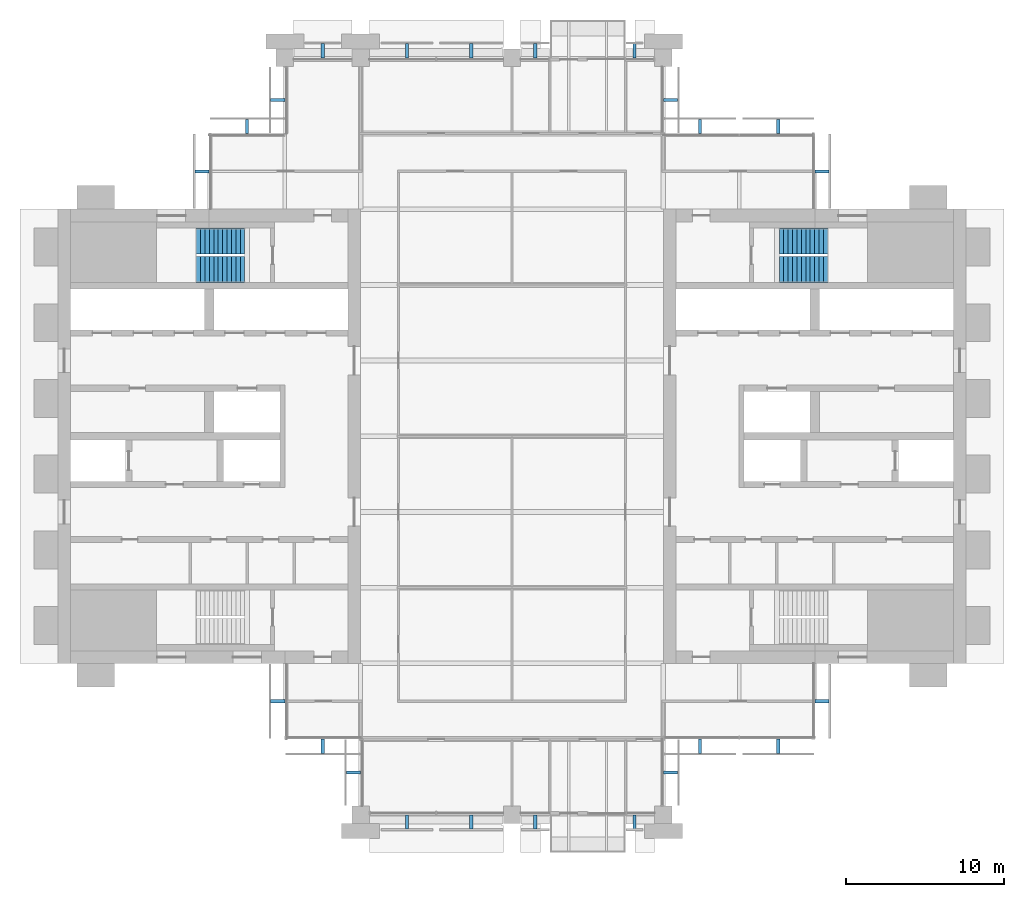
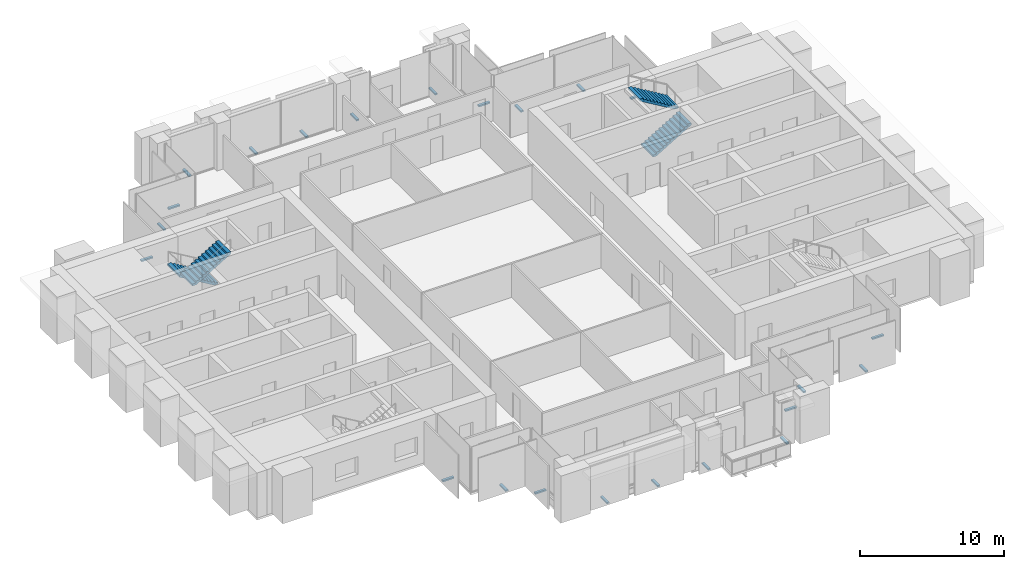
# One storey, part 12 of 14: 23 discrete accessories, 4 stair flights, 2 elements without a shape of their own.
"""IFC4 building model written with IfcOpenShell, lengths in metres."""

import ifcopenshell
import ifcopenshell.guid

model = None  # the IFC model being written
_history = None  # IfcOwnerHistory: only IFC2X3 demands one
_inside = {}  # id of a spatial element -> (the spatial element, [elements in it])
_under = {}  # id of a project, library or spatial element -> (it, [spatial elements below it])
_declared = {}  # id of a project -> (the project, [libraries it declares])
_typed = {}  # id of a type object -> (the type object, [elements of that type])
_made_of = {}  # id of a material, layer set ... -> (it, [elements and type objects made of it])


def new_model(schema):
    """Start an empty IFC model of exactly this schema.

    Asked for "IFC4X3", IfcOpenShell would pick the latest addendum, in which some entities
    have other attributes; the version numbers below select the first issue.
    IFC2X3 requires an IfcOwnerHistory on every rooted entity: one is made here for all.
    """
    global model, _history
    if schema == "IFC4X3":
        model = ifcopenshell.file(schema_version=(4, 3, 0, 0))
    else:
        model = ifcopenshell.file(schema=schema)
    _inside.clear()
    _under.clear()
    _declared.clear()
    _typed.clear()
    _made_of.clear()
    _history = None
    if model.schema == "IFC2X3":
        org = make("IfcOrganization", Name="unknown")
        user = make(
            "IfcPersonAndOrganization",
            ThePerson=make("IfcPerson", FamilyName="unknown"),
            TheOrganization=org,
        )
        app = make(
            "IfcApplication",
            ApplicationDeveloper=org,
            Version="unknown",
            ApplicationFullName="unknown",
            ApplicationIdentifier="unknown",
        )
        _history = make(
            "IfcOwnerHistory",
            OwningUser=user,
            OwningApplication=app,
            ChangeAction="ADDED",
            CreationDate=0,
        )
    return model


def make(cls, **values):
    """One entity of the class cls with the attributes given. An attribute that is None is left unset."""
    return model.create_entity(
        cls, **{name: value for name, value in values.items() if value is not None}
    )


def rooted(cls, **values):
    """An entity with a GlobalId (a new one), such as an element, a storey or a relation."""
    return make(cls, GlobalId=ifcopenshell.guid.new(), OwnerHistory=_history, **values)


def si_unit(unit_type, name, prefix=None):
    """IfcSIUnit, for example si_unit("LENGTHUNIT", "METRE", prefix="MILLI")."""
    return make("IfcSIUnit", UnitType=unit_type, Prefix=prefix, Name=name)


def assignment(units):
    """IfcUnitAssignment: the units of a project."""
    return None if units is None else make("IfcUnitAssignment", Units=units)


def point(xyz):
    """IfcCartesianPoint."""
    return None if xyz is None else make("IfcCartesianPoint", Coordinates=xyz)


def direction(xyz):
    """IfcDirection."""
    return None if xyz is None else make("IfcDirection", DirectionRatios=xyz)


def frame(location, z_axis=None, x_axis=None):
    """IfcAxis2Placement3D, a coordinate frame: its origin and axes. An axis left out is left unset."""
    return make(
        "IfcAxis2Placement3D",
        Location=point(location),
        Axis=direction(z_axis),
        RefDirection=direction(x_axis),
    )


def frame_2d(location, x_axis=None):
    """IfcAxis2Placement2D, a coordinate frame in the plane: its origin and x axis."""
    return make(
        "IfcAxis2Placement2D", Location=point(location), RefDirection=direction(x_axis)
    )


def origin():
    """The frame at (0, 0, 0) with its axes left unset."""
    return frame((0.0, 0.0, 0.0))


def origin_2d():
    """The frame at (0, 0) in the plane with its x axis left unset."""
    return frame_2d((0.0, 0.0))


def place(relative_to, where):
    """IfcLocalPlacement: puts the frame where relative to a parent placement (None: the world)."""
    return make(
        "IfcLocalPlacement", PlacementRelTo=relative_to, RelativePlacement=where
    )


def context(
    kind, dimensions, precision=None, world=None, true_north=None, identifier=None
):
    """IfcGeometricRepresentationContext, for example the 3D "Model" context."""
    return make(
        "IfcGeometricRepresentationContext",
        ContextIdentifier=identifier,
        ContextType=kind,
        CoordinateSpaceDimension=dimensions,
        Precision=precision,
        WorldCoordinateSystem=world,
        TrueNorth=true_north,
    )


def subcontext(parent, identifier, kind, view, scale=None):
    """IfcGeometricRepresentationSubContext, for example "Body" below "Model"."""
    return make(
        "IfcGeometricRepresentationSubContext",
        ContextIdentifier=identifier,
        ContextType=kind,
        ParentContext=parent,
        TargetScale=scale,
        TargetView=view,
    )


def project(units=None, contexts=None):
    """IfcProject with its units and contexts."""
    return rooted(
        "IfcProject",
        Name="project",
        RepresentationContexts=contexts,
        UnitsInContext=assignment(units),
    )


def spatial(cls, under=None, at=None, **own):
    """A site, building, storey or space (cls), placed at a placement, below another one or the project."""
    s = rooted(cls, ObjectPlacement=at, **own)
    if under is not None:
        _under.setdefault(under.id(), (under, []))[1].append(s)
    return s


def polyline(points):
    """IfcPolyline through the points."""
    return make("IfcPolyline", Points=[point(p) for p in points])


def profile(cls, at=None, kind="AREA", **sizes):
    """A parametric profile (cls). Its sizes go by their IFC names, for example OverallWidth=200.0."""
    return make(cls, ProfileType=kind, Position=at, **sizes)


def rectangle(**sizes):
    """IfcRectangleProfileDef."""
    return profile("IfcRectangleProfileDef", **sizes)


def outline(outer, holes=None, kind="AREA"):
    """IfcArbitraryClosedProfileDef: a profile drawn as a closed curve; with holes, ...WithVoids."""
    if holes is None:
        return make("IfcArbitraryClosedProfileDef", ProfileType=kind, OuterCurve=outer)
    return make(
        "IfcArbitraryProfileDefWithVoids",
        ProfileType=kind,
        OuterCurve=outer,
        InnerCurves=holes,
    )


def extrude(swept, where, along, depth):
    """IfcExtrudedAreaSolid: the profile swept, set in the frame where, extruded along a direction by depth."""
    return make(
        "IfcExtrudedAreaSolid",
        SweptArea=swept,
        Position=where,
        ExtrudedDirection=direction(along),
        Depth=depth,
    )


def shape(context_of_items, identifier, shape_type, items):
    """IfcShapeRepresentation: the items that make up one representation, for example the "Body"."""
    return make(
        "IfcShapeRepresentation",
        ContextOfItems=context_of_items,
        RepresentationIdentifier=identifier,
        RepresentationType=shape_type,
        Items=items,
    )


def material(Name=None, Category=None):
    """IfcMaterial."""
    return make("IfcMaterial", Name=Name, Category=Category)


def made_of(thing, what):
    """Note that an element or type object is made of a material, layer set ...; save() writes the relation."""
    if what is not None:
        _made_of.setdefault(what.id(), (what, []))[1].append(thing)
    return thing


def type_object(cls, material=None, **own):
    """A type object (cls), such as IfcWallType, which elements share."""
    return made_of(rooted(cls, **own), material)


def element(
    cls,
    number,
    at=None,
    inside=None,
    cuts=None,
    type_object=None,
    material=None,
    context=None,
    identifier="Body",
    shape_type=None,
    held_by="IfcProductDefinitionShape",
    body=None,
    shapes=None,
    **own,
):
    """One element of the class cls, such as IfcWall. Its Tag is "e" and its number.

    at: its placement. inside: the storey or other place that contains it. cuts: it is an
    opening in that element (IfcRelVoidsElement). A single representation is given by context,
    identifier, shape_type and body (its items); several are given by shapes. held_by: the class
    of the entity that holds the representations. save() writes the other relations.
    """
    e = rooted(cls, Tag="e%d" % number, ObjectPlacement=at, **own)
    if body is not None:
        shapes = [shape(context, identifier, shape_type, body)]
    if shapes is not None:
        e.Representation = make(held_by, Representations=shapes)
    if inside is not None:
        _inside.setdefault(inside.id(), (inside, []))[1].append(e)
    if cuts is not None:
        rooted(
            "IfcRelVoidsElement", RelatingBuildingElement=cuts, RelatedOpeningElement=e
        )
    if type_object is not None:
        _typed.setdefault(type_object.id(), (type_object, []))[1].append(e)
    return made_of(e, material)


def aggregate(whole, parts):
    """IfcRelAggregates: a whole, such as a stair, and the parts it consists of."""
    return rooted("IfcRelAggregates", RelatingObject=whole, RelatedObjects=parts)


def save(model, path):
    """Write the relations noted so far, then the file.

    IfcRelAggregates (storeys below a building ...), IfcRelContainedInSpatialStructure (elements
    in a storey), IfcRelDefinesByType, IfcRelAssociatesMaterial and IfcRelDeclares: one each for
    every whole, place, type object, material and project.
    """
    for whole, parts in _under.values():
        aggregate(whole, parts)
    for where, things in _inside.values():
        rooted(
            "IfcRelContainedInSpatialStructure",
            RelatedElements=things,
            RelatingStructure=where,
        )
    for kind, things in _typed.values():
        rooted("IfcRelDefinesByType", RelatedObjects=things, RelatingType=kind)
    for what, things in _made_of.values():
        rooted("IfcRelAssociatesMaterial", RelatedObjects=things, RelatingMaterial=what)
    for by, libraries in _declared.values():
        rooted("IfcRelDeclares", RelatingContext=by, RelatedDefinitions=libraries)
    model.write(path)


model = new_model("IFC4")

# Units and contexts
model_context = context("Model", 3, precision=1e-05, world=origin(), true_north=direction((0.0, 1.0)))
body_context = subcontext(model_context, "Body", "Model", "MODEL_VIEW")
ifc_project = project(units=[si_unit("LENGTHUNIT", "METRE"), si_unit("AREAUNIT", "SQUARE_METRE"), si_unit("VOLUMEUNIT", "CUBIC_METRE"), si_unit("PLANEANGLEUNIT", "RADIAN"), si_unit("MASSUNIT", "GRAM", prefix="KILO")], contexts=[model_context])

# Site, building, storey
site_placement = place(None, origin())
site = spatial("IfcSite", under=ifc_project, at=site_placement, CompositionType="ELEMENT")
building_placement = place(site_placement, origin())
building = spatial("IfcBuilding", under=site, at=building_placement, Name="Baori Bourse Tower", CompositionType="ELEMENT")
storey_placement = place(building_placement, frame((0.0, 0.0, 221.199951171875)))
storey = spatial("IfcBuildingStorey", under=building, at=storey_placement, Name="L48", CompositionType="ELEMENT", Elevation=221.199951171875)

# Stair, stair flights
ifc_material_1 = material(Name="Concrete f'c 50 MPa", Category="concrete")
stair_type = type_object("IfcStairType", Name="Core stair", PredefinedType="HALF_TURN_STAIR", material=ifc_material_1)
stair_1_placement = place(storey_placement, origin())
stair_1 = element("IfcStair", 1, at=stair_1_placement, inside=storey, type_object=stair_type, Name="L48 Stair WB", PredefinedType="HALF_TURN_STAIR")
ifc_material_2 = material(Name="Concrete f'c 50 MPa", Category="concrete")
stair_flight_type = type_object("IfcStairFlightType", Name="Core stair flight", PredefinedType="STRAIGHT", material=ifc_material_2)
stair_flight_1_placement = place(storey_placement, frame((11.85009765625, 36.375, 0.0), z_axis=(0.0, 0.0, 1.0), x_axis=(-1.0, 0.0, 0.0)))
stair_flight_1 = element("IfcStairFlight", 2, at=stair_flight_1_placement, type_object=stair_flight_type, Name="ST2 flight 1", NumberOfRisers=12, NumberOfTreads=11, PredefinedType="STRAIGHT", RiserHeight=0.166666667, TreadLength=0.28, context=body_context, shape_type="SweptSolid", body=[
    extrude(outline(polyline([(0.0, 0.0), (0.0, 0.166748046875), (0.280029296875, 0.166748046875), (0.280029296875, 0.333251953125), (0.56005859375, 0.333251953125), (0.56005859375, 0.5), (0.840087890625, 0.5), (0.840087890625, 0.666748046875), (1.1201171875, 0.666748046875), (1.1201171875, 0.833251953125), (1.39990234375, 0.833251953125), (1.39990234375, 1.0), (1.679931640625, 1.0), (1.679931640625, 1.166748046875), (1.9599609375, 1.166748046875), (1.9599609375, 1.333251953125), (2.239990234375, 1.333251953125), (2.239990234375, 1.5), (2.52001953125, 1.5), (2.52001953125, 1.666748046875), (2.800048828125, 1.666748046875), (2.800048828125, 1.833251953125), (3.080078125, 1.833251953125), (3.080078125, 2.0), (3.080078125, 1.658935546875), (0.29296875, 0.0), (0.0, 0.0)])), frame((0.0, 0.824951171875, 0.0), z_axis=(0.0, -1.0, 0.0), x_axis=(1.0, 0.0, 0.0)), (0.0, 0.0, 1.0), 1.64990234375),
])
stair_flight_2_placement = place(storey_placement, frame((8.77001953125, 34.574951171875, 2.0), z_axis=(0.0, 0.0, 1.0), x_axis=(1.0, 0.0, 0.0)))
stair_flight_2 = element("IfcStairFlight", 3, at=stair_flight_2_placement, type_object=stair_flight_type, Name="ST2 flight 2", NumberOfRisers=12, NumberOfTreads=11, PredefinedType="STRAIGHT", RiserHeight=0.166666667, TreadLength=0.28, context=body_context, shape_type="SweptSolid", body=[
    extrude(outline(polyline([(0.0, 0.0), (0.0, 0.166748046875), (0.280029296875, 0.166748046875), (0.280029296875, 0.333251953125), (0.56005859375, 0.333251953125), (0.56005859375, 0.5), (0.840087890625, 0.5), (0.840087890625, 0.666748046875), (1.1201171875, 0.666748046875), (1.1201171875, 0.833251953125), (1.39990234375, 0.833251953125), (1.39990234375, 1.0), (1.679931640625, 1.0), (1.679931640625, 1.166748046875), (1.9599609375, 1.166748046875), (1.9599609375, 1.333251953125), (2.239990234375, 1.333251953125), (2.239990234375, 1.5), (2.52001953125, 1.5), (2.52001953125, 1.666748046875), (2.800048828125, 1.666748046875), (2.800048828125, 1.833251953125), (3.080078125, 1.833251953125), (3.080078125, 2.0), (3.080078125, 1.658935546875), (0.29296875, 0.0), (0.0, 0.0)])), frame((0.0, 0.824951171875, 0.0), z_axis=(0.0, -1.0, 0.0), x_axis=(1.0, 0.0, 0.0)), (0.0, 0.0, 1.0), 1.64990234375),
])
aggregate(stair_1, [stair_flight_1, stair_flight_2])

stair_2_placement = place(storey_placement, origin())
stair_2 = element("IfcStair", 4, at=stair_2_placement, inside=storey, type_object=stair_type, Name="L48 Stair EB", PredefinedType="HALF_TURN_STAIR")
stair_flight_3_placement = place(storey_placement, frame((45.75, 34.574951171875, 0.0), z_axis=(0.0, 0.0, 1.0), x_axis=(1.0, 0.0, 0.0)))
stair_flight_3 = element("IfcStairFlight", 5, at=stair_flight_3_placement, type_object=stair_flight_type, Name="ST4 flight 1", NumberOfRisers=12, NumberOfTreads=11, PredefinedType="STRAIGHT", RiserHeight=0.166666667, TreadLength=0.28, context=body_context, shape_type="SweptSolid", body=[
    extrude(outline(polyline([(0.0, 0.0), (0.0, 0.166748046875), (0.280029296875, 0.166748046875), (0.280029296875, 0.333251953125), (0.56005859375, 0.333251953125), (0.56005859375, 0.5), (0.840087890625, 0.5), (0.840087890625, 0.666748046875), (1.1201171875, 0.666748046875), (1.1201171875, 0.833251953125), (1.39990234375, 0.833251953125), (1.39990234375, 1.0), (1.679931640625, 1.0), (1.679931640625, 1.166748046875), (1.9599609375, 1.166748046875), (1.9599609375, 1.333251953125), (2.239990234375, 1.333251953125), (2.239990234375, 1.5), (2.52001953125, 1.5), (2.52001953125, 1.666748046875), (2.800048828125, 1.666748046875), (2.800048828125, 1.833251953125), (3.080078125, 1.833251953125), (3.080078125, 2.0), (3.080078125, 1.658935546875), (0.29296875, 0.0), (0.0, 0.0)])), frame((0.0, 0.824951171875, 0.0), z_axis=(0.0, -1.0, 0.0), x_axis=(1.0, 0.0, 0.0)), (0.0, 0.0, 1.0), 1.64990234375),
])
stair_flight_4_placement = place(storey_placement, frame((48.830078125, 36.375, 2.0), z_axis=(0.0, 0.0, 1.0), x_axis=(-1.0, 0.0, 0.0)))
stair_flight_4 = element("IfcStairFlight", 6, at=stair_flight_4_placement, type_object=stair_flight_type, Name="ST4 flight 2", NumberOfRisers=12, NumberOfTreads=11, PredefinedType="STRAIGHT", RiserHeight=0.166666667, TreadLength=0.28, context=body_context, shape_type="SweptSolid", body=[
    extrude(outline(polyline([(0.0, 0.0), (0.0, 0.166748046875), (0.280029296875, 0.166748046875), (0.280029296875, 0.333251953125), (0.56005859375, 0.333251953125), (0.56005859375, 0.5), (0.840087890625, 0.5), (0.840087890625, 0.666748046875), (1.1201171875, 0.666748046875), (1.1201171875, 0.833251953125), (1.39990234375, 0.833251953125), (1.39990234375, 1.0), (1.679931640625, 1.0), (1.679931640625, 1.166748046875), (1.9599609375, 1.166748046875), (1.9599609375, 1.333251953125), (2.239990234375, 1.333251953125), (2.239990234375, 1.5), (2.52001953125, 1.5), (2.52001953125, 1.666748046875), (2.800048828125, 1.666748046875), (2.800048828125, 1.833251953125), (3.080078125, 1.833251953125), (3.080078125, 2.0), (3.080078125, 1.658935546875), (0.29296875, 0.0), (0.0, 0.0)])), frame((0.0, 0.824951171875, 0.0), z_axis=(0.0, -1.0, 0.0), x_axis=(1.0, 0.0, 0.0)), (0.0, 0.0, 1.0), 1.64990234375),
])
aggregate(stair_2, [stair_flight_3, stair_flight_4])

# Discrete accessories
ifc_material_3 = material(Name="Pale anodised aluminium", Category="aluminium")
discrete_accessory_type = type_object("IfcDiscreteAccessoryType", Name="OS2 Outer skin bracket", PredefinedType="BRACKET", material=ifc_material_3)
for number, where, z_axis, x_axis, name in (
    (7, (48.449951171875, 40.800048828125, -0.143798828125), (0.0, 0.0, 1.0), (0.0, 1.0, 0.0), "Outer skin bracket L48 1"),
    (8, (45.6875, 43.64990234375, -0.143798828125), (0.0, 0.0, 1.0), (-1.0, 0.0, 0.0), "Outer skin bracket L48 2"),
    (9, (40.71240234375, 43.64990234375, -0.143798828125), (0.0, 0.0, 1.0), (-1.0, 0.0, 0.0), "Outer skin bracket L48 3"),
    (10, (38.85009765625, 45.324951171875, -0.143798828125), (0.0, 0.0, 1.0), (0.0, 1.0, 0.0), "Outer skin bracket L48 4"),
    (11, (36.574951171875, 48.449951171875, -0.143798828125), (0.0, 0.0, 1.0), (-1.0, 0.0, 0.0), "Outer skin bracket L48 5"),
    (12, (30.27490234375, 48.449951171875, -0.143798828125), (0.0, 0.0, 1.0), (-1.0, 0.0, 0.0), "Outer skin bracket L48 6"),
    (13, (26.21240234375, 48.449951171875, -0.143798828125), (0.0, 0.0, 1.0), (-1.0, 0.0, 0.0), "Outer skin bracket L48 7"),
    (14, (22.137451171875, 48.449951171875, -0.143798828125), (0.0, 0.0, 1.0), (-1.0, 0.0, 0.0), "Outer skin bracket L48 8"),
    (15, (16.800048828125, 48.449951171875, -0.143798828125), (0.0, 0.0, 1.0), (-1.0, 0.0, 0.0), "Outer skin bracket L48 9"),
    (16, (13.949951171875, 45.324951171875, -0.143798828125), (0.0, 0.0, 1.0), (0.0, -1.0, 0.0), "Outer skin bracket L48 10"),
    (17, (12.0, 43.64990234375, -0.143798828125), (0.0, 0.0, 1.0), (-1.0, 0.0, 0.0), "Outer skin bracket L48 11"),
    (18, (9.14990234375, 40.800048828125, -0.143798828125), (0.0, 0.0, 1.0), (0.0, -1.0, 0.0), "Outer skin bracket L48 12"),
    (19, (13.949951171875, 7.199951171875, -0.143798828125), (0.0, 0.0, 1.0), (0.0, -1.0, 0.0), "Outer skin bracket L48 13"),
    (20, (16.800048828125, 4.35009765625, -0.143798828125), (0.0, 0.0, 1.0), (1.0, 0.0, 0.0), "Outer skin bracket L48 14"),
    (21, (18.75, 2.675048828125, -0.143798828125), (0.0, 0.0, 1.0), (0.0, -1.0, 0.0), "Outer skin bracket L48 15"),
    (22, (22.137451171875, -0.449951171875, -0.143798828125), (0.0, 0.0, 1.0), (1.0, 0.0, 0.0), "Outer skin bracket L48 16"),
    (23, (26.21240234375, -0.449951171875, -0.143798828125), (0.0, 0.0, 1.0), (1.0, 0.0, 0.0), "Outer skin bracket L48 17"),
    (24, (30.27490234375, -0.449951171875, -0.143798828125), (0.0, 0.0, 1.0), (1.0, 0.0, 0.0), "Outer skin bracket L48 18"),
    (25, (36.574951171875, -0.449951171875, -0.143798828125), (0.0, 0.0, 1.0), (1.0, 0.0, 0.0), "Outer skin bracket L48 19"),
    (26, (38.85009765625, 2.675048828125, -0.143798828125), (0.0, 0.0, 1.0), (0.0, 1.0, 0.0), "Outer skin bracket L48 20"),
    (27, (40.71240234375, 4.35009765625, -0.143798828125), (0.0, 0.0, 1.0), (1.0, 0.0, 0.0), "Outer skin bracket L48 21"),
    (28, (45.6875, 4.35009765625, -0.143798828125), (0.0, 0.0, 1.0), (1.0, 0.0, 0.0), "Outer skin bracket L48 22"),
    (29, (48.449951171875, 7.199951171875, -0.143798828125), (0.0, 0.0, 1.0), (0.0, 1.0, 0.0), "Outer skin bracket L48 23"),
):
    element("IfcDiscreteAccessory", number, at=place(storey_placement, frame(where, z_axis=z_axis, x_axis=x_axis)), inside=storey, type_object=discrete_accessory_type, Name=name, PredefinedType="BRACKET", context=body_context, shape_type="SweptSolid", body=[
        extrude(rectangle(XDim=0.199951171875, YDim=0.89990234375, at=origin_2d()), origin(), (0.0, 0.0, 1.0), 0.1279296875),
    ])

save(model, "model.ifc")
